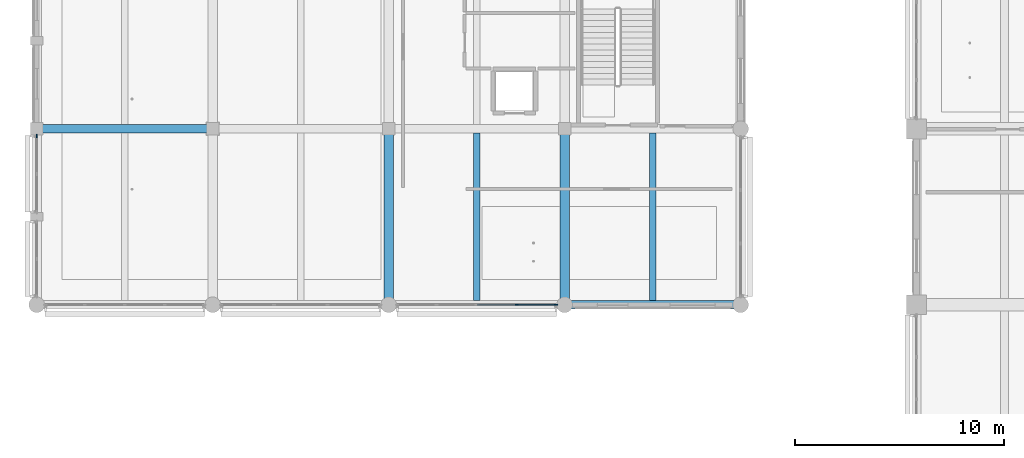
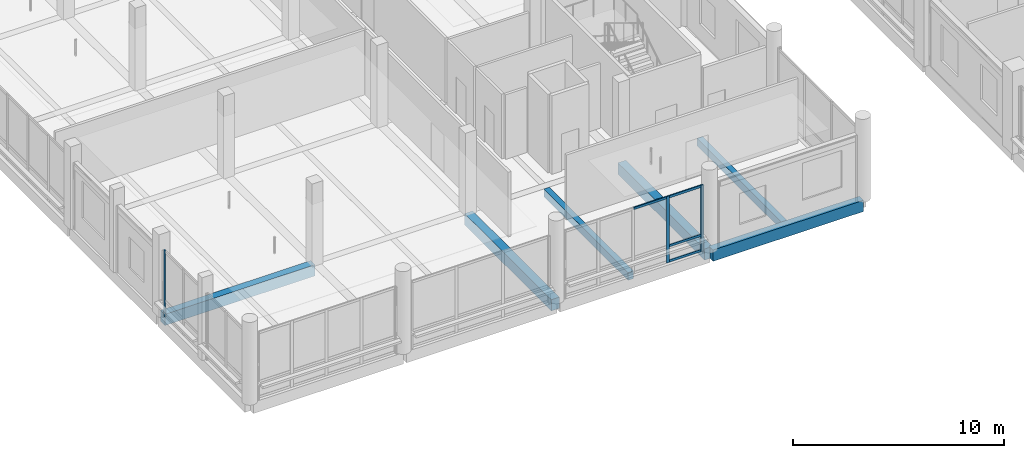
# One storey, part 3 of 122: 7 members, 6 beams, 2 elements without a shape of their own.
"""IFC4 building model written with IfcOpenShell, lengths in metres."""

from ifc_helpers import new_model, si_unit, direction, frame, origin, origin_2d, place, context, subcontext, project, spatial, rectangle, extrude, material, layer, layer_set, material_profile, profile_set, type_object, element, aggregate, save


model = new_model("IFC4")

# Units and contexts
model_context = context("Model", 3, precision=1e-05, world=origin(), true_north=direction((0.0, 1.0)))
body_context = subcontext(model_context, "Body", "Model", "MODEL_VIEW")
ifc_project = project(units=[si_unit("LENGTHUNIT", "METRE"), si_unit("AREAUNIT", "SQUARE_METRE"), si_unit("VOLUMEUNIT", "CUBIC_METRE"), si_unit("PLANEANGLEUNIT", "RADIAN"), si_unit("MASSUNIT", "GRAM", prefix="KILO")], contexts=[model_context])

# Site, building, storey
site_placement = place(None, origin())
site = spatial("IfcSite", under=ifc_project, at=site_placement, CompositionType="ELEMENT")
building_placement = place(site_placement, origin())
building = spatial("IfcBuilding", under=site, at=building_placement, Name="Telukmera Botanical Conservatory", CompositionType="ELEMENT")
storey_placement = place(building_placement, frame((0.0, 0.0, 10.199951171875)))
storey = spatial("IfcBuildingStorey", under=building, at=storey_placement, Name="L02", CompositionType="ELEMENT", Elevation=10.199951171875)

# Beams
ifc_material_1 = material(Name="Concrete C40/50", Category="concrete")
ifc_material_profile_1 = material_profile(ifc_material_1, rectangle(XDim=0.449951171875, YDim=0.64990234375, at=origin_2d()), Name="RC 450x650")
ifc_profile_set_1 = profile_set([ifc_material_profile_1], Name="Concrete C40/50")
beam_type_1 = type_object("IfcBeamType", Name="Beam_B16", PredefinedType="BEAM", material=ifc_profile_set_1)
for number, where, z_axis, x_axis, name in (
    (1, (25.199951171875, 17.679931640625, -0.324951171875), (0.0, 1.0, 0.0), (-1.0, 0.0, 0.0), "Visitor Wing Transverse Beam L02"),
    (2, (33.60009765625, 17.679931640625, -0.324951171875), (0.0, 1.0, 0.0), (-1.0, 0.0, 0.0), "Visitor Wing Transverse Beam L02"),
):
    element("IfcBeam", number, at=place(storey_placement, frame(where, z_axis=z_axis, x_axis=x_axis)), inside=storey, type_object=beam_type_1, Name=name, PredefinedType="BEAM", context=body_context, shape_type="SweptSolid", body=[
        extrude(rectangle(XDim=0.449951171875, YDim=0.64990234375, at=origin_2d()), origin(), (0.0, 0.0, 1.0), 8.239990234375),
    ])
ifc_material_profile_2 = material_profile(ifc_material_1, rectangle(XDim=0.300048828125, YDim=0.449951171875, at=origin_2d()), Name="RC 300x450")
ifc_profile_set_2 = profile_set([ifc_material_profile_2], Name="Concrete C40/50")
beam_type_2 = type_object("IfcBeamType", Name="Beam_B25", PredefinedType="JOIST", material=ifc_profile_set_2)
for number, where, z_axis, x_axis, name in (
    (3, (29.39990234375, 17.800048828125, -0.224853515625), (0.0, 1.0, 0.0), (-1.0, 0.0, 0.0), "Visitor Wing Floor Joist L02"),
    (4, (37.800048828125, 17.800048828125, -0.224853515625), (0.0, 1.0, 0.0), (-1.0, 0.0, 0.0), "Visitor Wing Floor Joist L02"),
):
    element("IfcBeam", number, at=place(storey_placement, frame(where, z_axis=z_axis, x_axis=x_axis)), inside=storey, type_object=beam_type_2, Name=name, PredefinedType="JOIST", context=body_context, shape_type="SweptSolid", body=[
        extrude(rectangle(XDim=0.300048828125, YDim=0.449951171875, at=origin_2d()), origin(), (0.0, 0.0, 1.0), 8.0),
    ])
ifc_material_profile_3 = material_profile(ifc_material_1, rectangle(XDim=0.39990234375, YDim=0.64990234375, at=origin_2d()), Name="RC 400x650")
ifc_profile_set_3 = profile_set([ifc_material_profile_3], Name="Concrete C40/50")
beam_type_3 = type_object("IfcBeamType", Name="Beam_B8", PredefinedType="BEAM", material=ifc_profile_set_3)
for number, where, z_axis, x_axis, name in (
    (5, (33.679931640625, 17.60009765625, -0.324951171875), (1.0, 0.0, 0.0), (0.0, 1.0, 0.0), "Visitor Wing Grid Beam L02"),
    (6, (8.47998046875, 26.0, -0.324951171875), (1.0, 0.0, 0.0), (0.0, 1.0, 0.0), "Visitor Wing Grid Beam L02"),
):
    element("IfcBeam", number, at=place(storey_placement, frame(where, z_axis=z_axis, x_axis=x_axis)), inside=storey, type_object=beam_type_3, Name=name, PredefinedType="BEAM", context=body_context, shape_type="SweptSolid", body=[
        extrude(rectangle(XDim=0.39990234375, YDim=0.64990234375, at=origin_2d()), origin(), (0.0, 0.0, 1.0), 8.239990234375),
    ])

# Curtain wall, members
ifc_material_2 = material(Name="Anodised aluminium 6063-T6", Category="aluminium")
ifc_layer = layer(ifc_material_2, 0.179931640625)
ifc_layer_set = layer_set([ifc_layer], Name="Anodised aluminium 6063-T6")
curtain_wall_type = type_object("IfcCurtainWallType", Name="Visitor Gallery First Floor Curtain Wall 1800 Mod", PredefinedType="USERDEFINED", material=ifc_layer_set)
curtain_wall_1_placement = place(storey_placement, origin())
curtain_wall_1 = element("IfcCurtainWall", 7, at=curtain_wall_1_placement, inside=storey, type_object=curtain_wall_type, Name="Unitised Curtain Wall CW08 V3:L02:S3", ObjectType="UNITISED CURTAIN WALL", PredefinedType="USERDEFINED")
ifc_material_profile_4 = material_profile(ifc_material_2, rectangle(XDim=0.06494140625, YDim=0.159912109375, at=origin_2d()), Name="ALU MULL 65x160")
ifc_profile_set_4 = profile_set([ifc_material_profile_4], Name="Anodised aluminium 6063-T6")
member_type_1 = type_object("IfcMemberType", Name="Curtain Wall Extruded Mullion 65x160", PredefinedType="MULLION", material=ifc_profile_set_4)
member_1_placement = place(storey_placement, frame((31.3115234375, 17.60009765625, 0.0), z_axis=(0.0, 0.0, 1.0), x_axis=(0.0, 1.0, 0.0)))
member_1 = element("IfcMember", 8, at=member_1_placement, type_object=member_type_1, Name="CW08 mullion 4", PredefinedType="MULLION", context=body_context, shape_type="SweptSolid", body=[
    extrude(rectangle(XDim=0.06494140625, YDim=0.159912109375, at=origin_2d()), origin(), (0.0, 0.0, 1.0), 3.85009765625),
])
member_2_placement = place(storey_placement, frame((33.1904296875, 17.60009765625, 0.0), z_axis=(0.0, 0.0, 1.0), x_axis=(0.0, 1.0, 0.0)))
member_2 = element("IfcMember", 9, at=member_2_placement, type_object=member_type_1, Name="CW08 mullion 5", PredefinedType="MULLION", context=body_context, shape_type="SweptSolid", body=[
    extrude(rectangle(XDim=0.06494140625, YDim=0.159912109375, at=origin_2d()), origin(), (0.0, 0.0, 1.0), 3.85009765625),
])

# Curtain wall, member
curtain_wall_2_placement = place(storey_placement, origin())
curtain_wall_2 = element("IfcCurtainWall", 10, at=curtain_wall_2_placement, inside=storey, type_object=curtain_wall_type, Name="Unitised Curtain Wall CW08 V3:L02:W1B", ObjectType="UNITISED CURTAIN WALL", PredefinedType="USERDEFINED")
member_3_placement = place(storey_placement, frame((8.39990234375, 25.66552734375, 0.0), z_axis=(0.0, 0.0, 1.0), x_axis=(-1.0, 0.0, 0.0)))
member_3 = element("IfcMember", 11, at=member_3_placement, type_object=member_type_1, Name="CW08 mullion 3", PredefinedType="MULLION", context=body_context, shape_type="SweptSolid", body=[
    extrude(rectangle(XDim=0.06494140625, YDim=0.159912109375, at=origin_2d()), origin(), (0.0, 0.0, 1.0), 3.85009765625),
])
aggregate(curtain_wall_2, [member_3])

# Member
ifc_material_profile_5 = material_profile(ifc_material_2, rectangle(XDim=0.06494140625, YDim=0.1298828125, at=origin_2d()), Name="ALU TRAN 65x130")
ifc_profile_set_5 = profile_set([ifc_material_profile_5], Name="Anodised aluminium 6063-T6")
member_type_2 = type_object("IfcMemberType", Name="Curtain Wall Extruded Transom 65x130", PredefinedType="USERDEFINED", material=ifc_profile_set_5)
member_4_placement = place(storey_placement, frame((29.4326171875, 17.60009765625, 3.78515625), z_axis=(1.0, 0.0, 0.0), x_axis=(0.0, 1.0, 0.0)))
member_4 = element("IfcMember", 12, at=member_4_placement, type_object=member_type_2, Name="CW08 transom 3.3", ObjectType="TRANSOM", PredefinedType="USERDEFINED", context=body_context, shape_type="SweptSolid", body=[
    extrude(rectangle(XDim=0.06494140625, YDim=0.1298828125, at=origin_2d()), origin(), (0.0, 0.0, 1.0), 1.846435546875),
])

member_5_placement = place(storey_placement, frame((31.343994140625, 17.60009765625, 0.06494140625), z_axis=(1.0, 0.0, 0.0), x_axis=(0.0, 1.0, 0.0)))
member_5 = element("IfcMember", 13, at=member_5_placement, type_object=member_type_2, Name="CW08 transom 4.1", ObjectType="TRANSOM", PredefinedType="USERDEFINED", context=body_context, shape_type="SweptSolid", body=[
    extrude(rectangle(XDim=0.06494140625, YDim=0.1298828125, at=origin_2d()), origin(), (0.0, 0.0, 1.0), 1.81396484375),
])

member_6_placement = place(storey_placement, frame((31.343994140625, 17.60009765625, 0.949951171875), z_axis=(1.0, 0.0, 0.0), x_axis=(0.0, 1.0, 0.0)))
member_6 = element("IfcMember", 14, at=member_6_placement, type_object=member_type_2, Name="CW08 transom 4.2", ObjectType="TRANSOM", PredefinedType="USERDEFINED", context=body_context, shape_type="SweptSolid", body=[
    extrude(rectangle(XDim=0.06494140625, YDim=0.1298828125, at=origin_2d()), origin(), (0.0, 0.0, 1.0), 1.81396484375),
])

member_7_placement = place(storey_placement, frame((31.343994140625, 17.60009765625, 3.78515625), z_axis=(1.0, 0.0, 0.0), x_axis=(0.0, 1.0, 0.0)))
member_7 = element("IfcMember", 15, at=member_7_placement, type_object=member_type_2, Name="CW08 transom 4.3", ObjectType="TRANSOM", PredefinedType="USERDEFINED", context=body_context, shape_type="SweptSolid", body=[
    extrude(rectangle(XDim=0.06494140625, YDim=0.1298828125, at=origin_2d()), origin(), (0.0, 0.0, 1.0), 1.81396484375),
])

aggregate(curtain_wall_1, [member_1, member_2, member_4, member_5, member_6, member_7])

save(model, "model.ifc")
